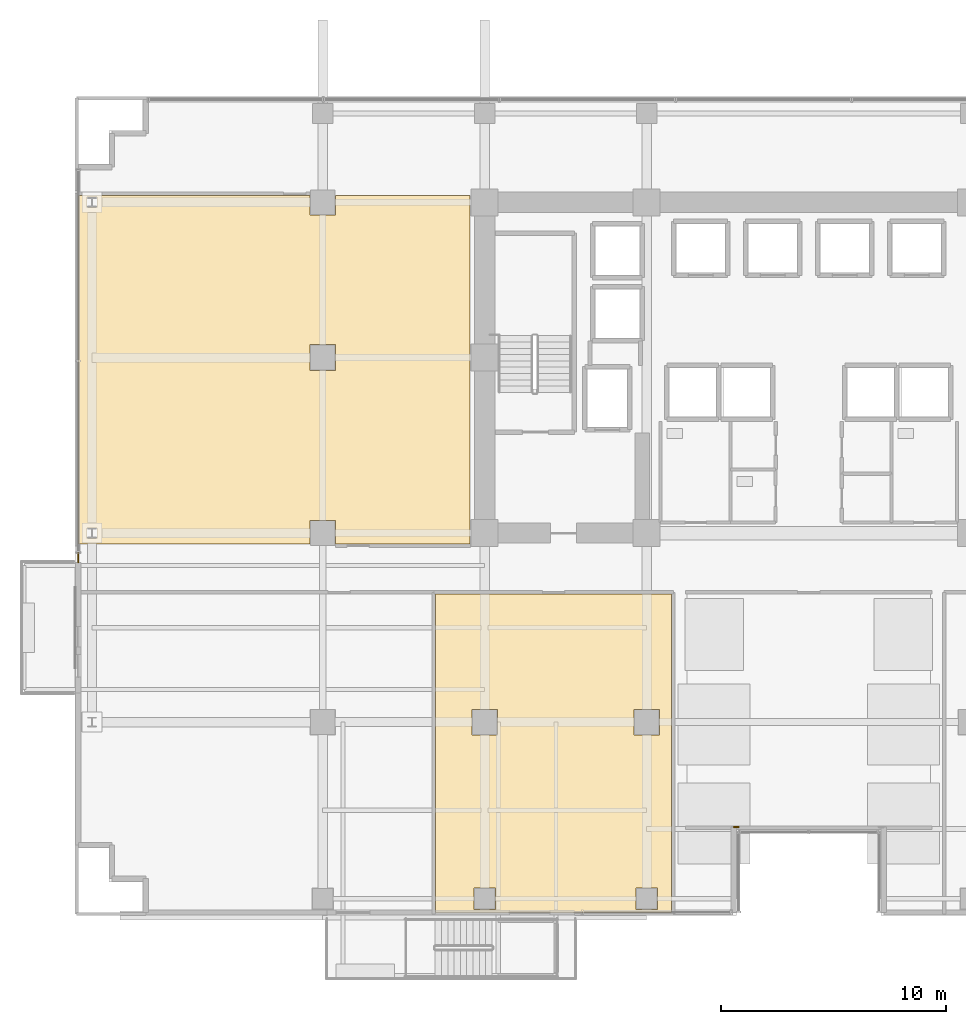
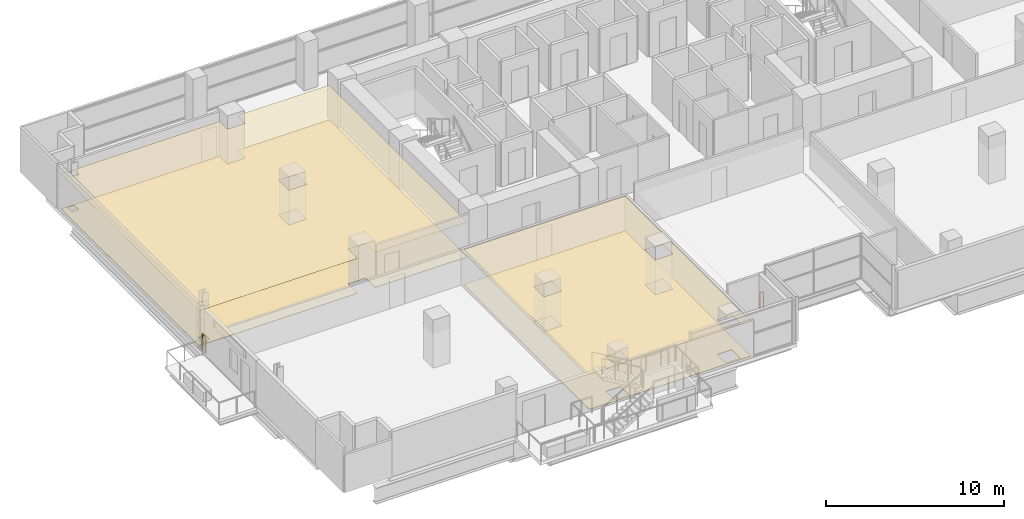
# One storey, part 29 of 32: 4 coverings, 2 railings.
"""IFC4 building model written with IfcOpenShell, lengths in metres."""

import ifcopenshell
import ifcopenshell.guid

model = None  # the IFC model being written
_history = None  # IfcOwnerHistory: only IFC2X3 demands one
_inside = {}  # id of a spatial element -> (the spatial element, [elements in it])
_under = {}  # id of a project, library or spatial element -> (it, [spatial elements below it])
_declared = {}  # id of a project -> (the project, [libraries it declares])
_typed = {}  # id of a type object -> (the type object, [elements of that type])
_made_of = {}  # id of a material, layer set ... -> (it, [elements and type objects made of it])


def new_model(schema):
    """Start an empty IFC model of exactly this schema.

    Asked for "IFC4X3", IfcOpenShell would pick the latest addendum, in which some entities
    have other attributes; the version numbers below select the first issue.
    IFC2X3 requires an IfcOwnerHistory on every rooted entity: one is made here for all.
    """
    global model, _history
    if schema == "IFC4X3":
        model = ifcopenshell.file(schema_version=(4, 3, 0, 0))
    else:
        model = ifcopenshell.file(schema=schema)
    _inside.clear()
    _under.clear()
    _declared.clear()
    _typed.clear()
    _made_of.clear()
    _history = None
    if model.schema == "IFC2X3":
        org = make("IfcOrganization", Name="unknown")
        user = make(
            "IfcPersonAndOrganization",
            ThePerson=make("IfcPerson", FamilyName="unknown"),
            TheOrganization=org,
        )
        app = make(
            "IfcApplication",
            ApplicationDeveloper=org,
            Version="unknown",
            ApplicationFullName="unknown",
            ApplicationIdentifier="unknown",
        )
        _history = make(
            "IfcOwnerHistory",
            OwningUser=user,
            OwningApplication=app,
            ChangeAction="ADDED",
            CreationDate=0,
        )
    return model


def make(cls, **values):
    """One entity of the class cls with the attributes given. An attribute that is None is left unset."""
    return model.create_entity(
        cls, **{name: value for name, value in values.items() if value is not None}
    )


def rooted(cls, **values):
    """An entity with a GlobalId (a new one), such as an element, a storey or a relation."""
    return make(cls, GlobalId=ifcopenshell.guid.new(), OwnerHistory=_history, **values)


def si_unit(unit_type, name, prefix=None):
    """IfcSIUnit, for example si_unit("LENGTHUNIT", "METRE", prefix="MILLI")."""
    return make("IfcSIUnit", UnitType=unit_type, Prefix=prefix, Name=name)


def assignment(units):
    """IfcUnitAssignment: the units of a project."""
    return None if units is None else make("IfcUnitAssignment", Units=units)


def point(xyz):
    """IfcCartesianPoint."""
    return None if xyz is None else make("IfcCartesianPoint", Coordinates=xyz)


def direction(xyz):
    """IfcDirection."""
    return None if xyz is None else make("IfcDirection", DirectionRatios=xyz)


def frame(location, z_axis=None, x_axis=None):
    """IfcAxis2Placement3D, a coordinate frame: its origin and axes. An axis left out is left unset."""
    return make(
        "IfcAxis2Placement3D",
        Location=point(location),
        Axis=direction(z_axis),
        RefDirection=direction(x_axis),
    )


def frame_2d(location, x_axis=None):
    """IfcAxis2Placement2D, a coordinate frame in the plane: its origin and x axis."""
    return make(
        "IfcAxis2Placement2D", Location=point(location), RefDirection=direction(x_axis)
    )


def origin():
    """The frame at (0, 0, 0) with its axes left unset."""
    return frame((0.0, 0.0, 0.0))


def origin_2d():
    """The frame at (0, 0) in the plane with its x axis left unset."""
    return frame_2d((0.0, 0.0))


def place(relative_to, where):
    """IfcLocalPlacement: puts the frame where relative to a parent placement (None: the world)."""
    return make(
        "IfcLocalPlacement", PlacementRelTo=relative_to, RelativePlacement=where
    )


def context(
    kind, dimensions, precision=None, world=None, true_north=None, identifier=None
):
    """IfcGeometricRepresentationContext, for example the 3D "Model" context."""
    return make(
        "IfcGeometricRepresentationContext",
        ContextIdentifier=identifier,
        ContextType=kind,
        CoordinateSpaceDimension=dimensions,
        Precision=precision,
        WorldCoordinateSystem=world,
        TrueNorth=true_north,
    )


def subcontext(parent, identifier, kind, view, scale=None):
    """IfcGeometricRepresentationSubContext, for example "Body" below "Model"."""
    return make(
        "IfcGeometricRepresentationSubContext",
        ContextIdentifier=identifier,
        ContextType=kind,
        ParentContext=parent,
        TargetScale=scale,
        TargetView=view,
    )


def project(units=None, contexts=None):
    """IfcProject with its units and contexts."""
    return rooted(
        "IfcProject",
        Name="project",
        RepresentationContexts=contexts,
        UnitsInContext=assignment(units),
    )


def spatial(cls, under=None, at=None, **own):
    """A site, building, storey or space (cls), placed at a placement, below another one or the project."""
    s = rooted(cls, ObjectPlacement=at, **own)
    if under is not None:
        _under.setdefault(under.id(), (under, []))[1].append(s)
    return s


def polyline(points):
    """IfcPolyline through the points."""
    return make("IfcPolyline", Points=[point(p) for p in points])


def profile(cls, at=None, kind="AREA", **sizes):
    """A parametric profile (cls). Its sizes go by their IFC names, for example OverallWidth=200.0."""
    return make(cls, ProfileType=kind, Position=at, **sizes)


def rectangle(**sizes):
    """IfcRectangleProfileDef."""
    return profile("IfcRectangleProfileDef", **sizes)


def outline(outer, holes=None, kind="AREA"):
    """IfcArbitraryClosedProfileDef: a profile drawn as a closed curve; with holes, ...WithVoids."""
    if holes is None:
        return make("IfcArbitraryClosedProfileDef", ProfileType=kind, OuterCurve=outer)
    return make(
        "IfcArbitraryProfileDefWithVoids",
        ProfileType=kind,
        OuterCurve=outer,
        InnerCurves=holes,
    )


def extrude(swept, where, along, depth):
    """IfcExtrudedAreaSolid: the profile swept, set in the frame where, extruded along a direction by depth."""
    return make(
        "IfcExtrudedAreaSolid",
        SweptArea=swept,
        Position=where,
        ExtrudedDirection=direction(along),
        Depth=depth,
    )


def shape(context_of_items, identifier, shape_type, items):
    """IfcShapeRepresentation: the items that make up one representation, for example the "Body"."""
    return make(
        "IfcShapeRepresentation",
        ContextOfItems=context_of_items,
        RepresentationIdentifier=identifier,
        RepresentationType=shape_type,
        Items=items,
    )


def material(Name=None, Category=None):
    """IfcMaterial."""
    return make("IfcMaterial", Name=Name, Category=Category)


def layer(
    of_material, thickness, ventilated=None, Name=None, Category=None, Priority=None
):
    """IfcMaterialLayer: one layer of a wall or slab, of a material (None: an air gap)."""
    return make(
        "IfcMaterialLayer",
        Material=of_material,
        LayerThickness=thickness,
        IsVentilated=ventilated,
        Name=Name,
        Category=Category,
        Priority=Priority,
    )


def layer_set(layers, Name=None):
    """IfcMaterialLayerSet."""
    return make("IfcMaterialLayerSet", MaterialLayers=layers, LayerSetName=Name)


def made_of(thing, what):
    """Note that an element or type object is made of a material, layer set ...; save() writes the relation."""
    if what is not None:
        _made_of.setdefault(what.id(), (what, []))[1].append(thing)
    return thing


def type_object(cls, material=None, **own):
    """A type object (cls), such as IfcWallType, which elements share."""
    return made_of(rooted(cls, **own), material)


def element(
    cls,
    number,
    at=None,
    inside=None,
    cuts=None,
    type_object=None,
    material=None,
    context=None,
    identifier="Body",
    shape_type=None,
    held_by="IfcProductDefinitionShape",
    body=None,
    shapes=None,
    **own,
):
    """One element of the class cls, such as IfcWall. Its Tag is "e" and its number.

    at: its placement. inside: the storey or other place that contains it. cuts: it is an
    opening in that element (IfcRelVoidsElement). A single representation is given by context,
    identifier, shape_type and body (its items); several are given by shapes. held_by: the class
    of the entity that holds the representations. save() writes the other relations.
    """
    e = rooted(cls, Tag="e%d" % number, ObjectPlacement=at, **own)
    if body is not None:
        shapes = [shape(context, identifier, shape_type, body)]
    if shapes is not None:
        e.Representation = make(held_by, Representations=shapes)
    if inside is not None:
        _inside.setdefault(inside.id(), (inside, []))[1].append(e)
    if cuts is not None:
        rooted(
            "IfcRelVoidsElement", RelatingBuildingElement=cuts, RelatedOpeningElement=e
        )
    if type_object is not None:
        _typed.setdefault(type_object.id(), (type_object, []))[1].append(e)
    return made_of(e, material)


def aggregate(whole, parts):
    """IfcRelAggregates: a whole, such as a stair, and the parts it consists of."""
    return rooted("IfcRelAggregates", RelatingObject=whole, RelatedObjects=parts)


def save(model, path):
    """Write the relations noted so far, then the file.

    IfcRelAggregates (storeys below a building ...), IfcRelContainedInSpatialStructure (elements
    in a storey), IfcRelDefinesByType, IfcRelAssociatesMaterial and IfcRelDeclares: one each for
    every whole, place, type object, material and project.
    """
    for whole, parts in _under.values():
        aggregate(whole, parts)
    for where, things in _inside.values():
        rooted(
            "IfcRelContainedInSpatialStructure",
            RelatedElements=things,
            RelatingStructure=where,
        )
    for kind, things in _typed.values():
        rooted("IfcRelDefinesByType", RelatedObjects=things, RelatingType=kind)
    for what, things in _made_of.values():
        rooted("IfcRelAssociatesMaterial", RelatedObjects=things, RelatingMaterial=what)
    for by, libraries in _declared.values():
        rooted("IfcRelDeclares", RelatingContext=by, RelatedDefinitions=libraries)
    model.write(path)


model = new_model("IFC4")

# Units and contexts
model_context = context("Model", 3, precision=1e-05, world=origin(), true_north=direction((0.0, 1.0)))
body_context = subcontext(model_context, "Body", "Model", "MODEL_VIEW")
ifc_project = project(units=[si_unit("LENGTHUNIT", "METRE"), si_unit("AREAUNIT", "SQUARE_METRE"), si_unit("VOLUMEUNIT", "CUBIC_METRE"), si_unit("PLANEANGLEUNIT", "RADIAN"), si_unit("MASSUNIT", "GRAM", prefix="KILO")], contexts=[model_context])

# Site, building, storey
site_placement = place(None, origin())
site = spatial("IfcSite", under=ifc_project, at=site_placement, CompositionType="ELEMENT")
building_placement = place(site_placement, origin())
building = spatial("IfcBuilding", under=site, at=building_placement, Name="Zarnakvel Exchange Tower", CompositionType="ELEMENT")
storey_placement = place(building_placement, frame((0.0, 0.0, 27.39990234375)))
storey = spatial("IfcBuildingStorey", under=building, at=storey_placement, Name="L06", CompositionType="ELEMENT", Elevation=27.39990234375)

# Coverings
ifc_material_1 = material(Name="Perforated Bronze Acoustic Metal Ceiling", Category="aluminium")
ifc_layer_1 = layer(ifc_material_1, 0.02001953125)
ifc_layer_set_1 = layer_set([ifc_layer_1], Name="Perforated Bronze Acoustic Metal Ceiling")
covering_type_1 = type_object("IfcCoveringType", Name="CLG-01", PredefinedType="CEILING", material=ifc_layer_set_1)
covering_1_placement = place(storey_placement, frame((0.0, 0.0, 2.405029296875)))
element("IfcCovering", 1, at=covering_1_placement, inside=storey, type_object=covering_type_1, Name="L06 Suspended Acoustic Ceiling (Brokerage Workspace)", PredefinedType="CEILING", context=body_context, shape_type="SweptSolid", body=[
    extrude(outline(polyline([(-16.575927734375, -3.909912109375), (-6.10009765625, -3.909912109375), (-6.10009765625, -18.050048828125), (-16.575927734375, -18.050048828125), (-16.575927734375, -3.909912109375)]), holes=[polyline([(-7.77001953125, -10.169921875), (-6.6298828125, -10.169921875), (-6.6298828125, -9.030029296875), (-7.77001953125, -9.030029296875), (-7.77001953125, -10.169921875)]), polyline([(-6.72998046875, -17.919921875), (-6.72998046875, -16.97998046875), (-7.669921875, -16.97998046875), (-7.669921875, -17.919921875), (-6.72998046875, -17.919921875)]), polyline([(-13.830078125, -10.169921875), (-13.830078125, -9.030029296875), (-14.969970703125, -9.030029296875), (-14.969970703125, -10.169921875), (-13.830078125, -10.169921875)]), polyline([(-13.929931640625, -17.919921875), (-13.929931640625, -16.97998046875), (-14.8701171875, -16.97998046875), (-14.8701171875, -17.919921875), (-13.929931640625, -17.919921875)])]), origin(), (0.0, 0.0, 1.0), 0.02001953125),
])
covering_2_placement = place(storey_placement, frame((0.0, 0.0, 2.405029296875)))
element("IfcCovering", 2, at=covering_2_placement, inside=storey, type_object=covering_type_1, Name="L06 Suspended Acoustic Ceiling (Boardroom)", PredefinedType="CEILING", context=body_context, shape_type="SweptSolid", body=[
    extrude(outline(polyline([(-32.449951171875, 13.800048828125), (-22.169921875, 13.800048828125), (-22.169921875, 12.929931640625), (-21.030029296875, 12.929931640625), (-21.030029296875, 13.800048828125), (-15.050048828125, 13.800048828125), (-15.050048828125, -1.68994140625), (-21.030029296875, -1.68994140625), (-21.030029296875, -0.6298828125), (-22.169921875, -0.6298828125), (-22.169921875, -1.68994140625), (-32.449951171875, -1.68994140625), (-32.449951171875, 13.800048828125)]), holes=[polyline([(-21.030029296875, 6.030029296875), (-21.030029296875, 7.169921875), (-22.169921875, 7.169921875), (-22.169921875, 6.030029296875), (-21.030029296875, 6.030029296875)]), polyline([(-31.6240234375, 13.267578125), (-31.6240234375, 13.732421875), (-32.075927734375, 13.732421875), (-32.075927734375, 13.267578125), (-31.6240234375, 13.267578125)]), polyline([(-31.6240234375, -1.4326171875), (-31.6240234375, -0.967529296875), (-32.075927734375, -0.967529296875), (-32.075927734375, -1.4326171875), (-31.6240234375, -1.4326171875)])]), origin(), (0.0, 0.0, 1.0), 0.02001953125),
])
ifc_material_2 = material(Name="Heavy-Duty Raised Access Floor Panel", Category="steel")
ifc_layer_2 = layer(ifc_material_2, 0.034912109375)
ifc_layer_set_2 = layer_set([ifc_layer_2], Name="Heavy-Duty Raised Access Floor Panel")
covering_type_2 = type_object("IfcCoveringType", Name="FLR-02", PredefinedType="FLOORING", material=ifc_layer_set_2)
covering_3_placement = place(storey_placement, origin())
element("IfcCovering", 3, at=covering_3_placement, inside=storey, type_object=covering_type_2, Name="L06 Floor Finish (Brokerage Workspace)", PredefinedType="FLOORING", context=body_context, shape_type="SweptSolid", body=[
    extrude(outline(polyline([(-16.575927734375, -3.909912109375), (-6.10009765625, -3.909912109375), (-6.10009765625, -18.050048828125), (-16.575927734375, -18.050048828125), (-16.575927734375, -3.909912109375)]), holes=[polyline([(-7.77001953125, -10.169921875), (-6.6298828125, -10.169921875), (-6.6298828125, -9.030029296875), (-7.77001953125, -9.030029296875), (-7.77001953125, -10.169921875)]), polyline([(-6.72998046875, -17.919921875), (-6.72998046875, -16.97998046875), (-7.669921875, -16.97998046875), (-7.669921875, -17.919921875), (-6.72998046875, -17.919921875)]), polyline([(-13.830078125, -10.169921875), (-13.830078125, -9.030029296875), (-14.969970703125, -9.030029296875), (-14.969970703125, -10.169921875), (-13.830078125, -10.169921875)]), polyline([(-13.929931640625, -17.919921875), (-13.929931640625, -16.97998046875), (-14.8701171875, -16.97998046875), (-14.8701171875, -17.919921875), (-13.929931640625, -17.919921875)])]), origin(), (0.0, 0.0, 1.0), 0.03515625),
])
covering_4_placement = place(storey_placement, origin())
element("IfcCovering", 4, at=covering_4_placement, inside=storey, type_object=covering_type_2, Name="L06 Floor Finish (Boardroom)", PredefinedType="FLOORING", context=body_context, shape_type="SweptSolid", body=[
    extrude(outline(polyline([(-32.449951171875, 13.800048828125), (-22.169921875, 13.800048828125), (-22.169921875, 12.929931640625), (-21.030029296875, 12.929931640625), (-21.030029296875, 13.800048828125), (-15.050048828125, 13.800048828125), (-15.050048828125, -1.68994140625), (-21.030029296875, -1.68994140625), (-21.030029296875, -0.6298828125), (-22.169921875, -0.6298828125), (-22.169921875, -1.68994140625), (-32.449951171875, -1.68994140625), (-32.449951171875, 13.800048828125)]), holes=[polyline([(-21.030029296875, 6.030029296875), (-21.030029296875, 7.169921875), (-22.169921875, 7.169921875), (-22.169921875, 6.030029296875), (-21.030029296875, 6.030029296875)]), polyline([(-31.6240234375, 13.267578125), (-31.6240234375, 13.732421875), (-32.075927734375, 13.732421875), (-32.075927734375, 13.267578125), (-31.6240234375, 13.267578125)]), polyline([(-31.6240234375, -1.4326171875), (-31.6240234375, -0.967529296875), (-32.075927734375, -0.967529296875), (-32.075927734375, -1.4326171875), (-31.6240234375, -1.4326171875)])]), origin(), (0.0, 0.0, 1.0), 0.03515625),
])

# Railings
ifc_material_3 = material(Name="Architectural Bronze Anodised Aluminium", Category="aluminium")
railing_type = type_object("IfcRailingType", Name="GR-02", PredefinedType="GUARDRAIL", material=ifc_material_3)
railing_1_placement = place(storey_placement, frame((-32.4599609375, -2.5, 0.0)))
element("IfcRailing", 5, at=railing_1_placement, inside=storey, type_object=railing_type, Name="L06 Corner Spandrel Balustrade #2", PredefinedType="GUARDRAIL", context=body_context, shape_type="SweptSolid", body=[
    extrude(rectangle(XDim=0.048095703125, YDim=0.048095703125, at=origin_2d()), frame((0.0, 0.0, 1.09619140625), z_axis=(0.0, 1.0, 0.0), x_axis=(-1.0, 0.0, 0.0)), (0.0, 0.0, 1.0), 0.39990234375),
    extrude(rectangle(XDim=0.0419921875, YDim=0.0419921875, at=origin_2d()), origin(), (0.0, 0.0, 1.0), 1.072021484375),
    extrude(rectangle(XDim=0.0419921875, YDim=0.0419921875, at=origin_2d()), frame((0.0, 0.39990234375, 0.0)), (0.0, 0.0, 1.0), 1.072021484375),
])
railing_2_placement = place(storey_placement, frame((-3.1201171875, -14.260009765625, 0.0)))
element("IfcRailing", 6, at=railing_2_placement, inside=storey, type_object=railing_type, Name="L06 Corner Spandrel Balustrade #19", PredefinedType="GUARDRAIL", context=body_context, shape_type="SweptSolid", body=[
    extrude(rectangle(XDim=0.048095703125, YDim=0.048095703125, at=origin_2d()), frame((0.0, 0.0, 1.09619140625), z_axis=(-1.0, 0.0, 0.0), x_axis=(0.0, -1.0, 0.0)), (0.0, 0.0, 1.0), 0.219970703125),
    extrude(rectangle(XDim=0.0419921875, YDim=0.0419921875, at=origin_2d()), origin(), (0.0, 0.0, 1.0), 1.072021484375),
    extrude(rectangle(XDim=0.0419921875, YDim=0.0419921875, at=origin_2d()), frame((-0.219970703125, 0.0, 0.0)), (0.0, 0.0, 1.0), 1.072021484375),
])

save(model, "model.ifc")
